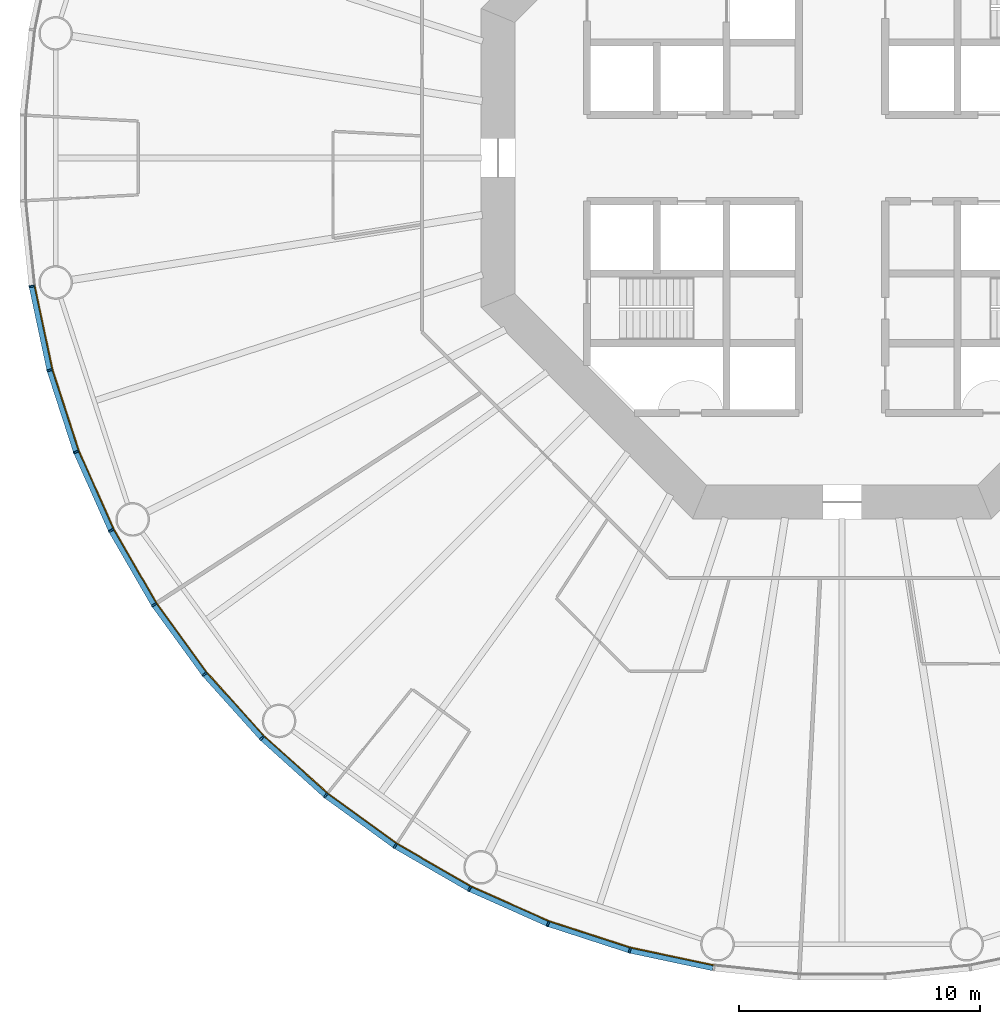
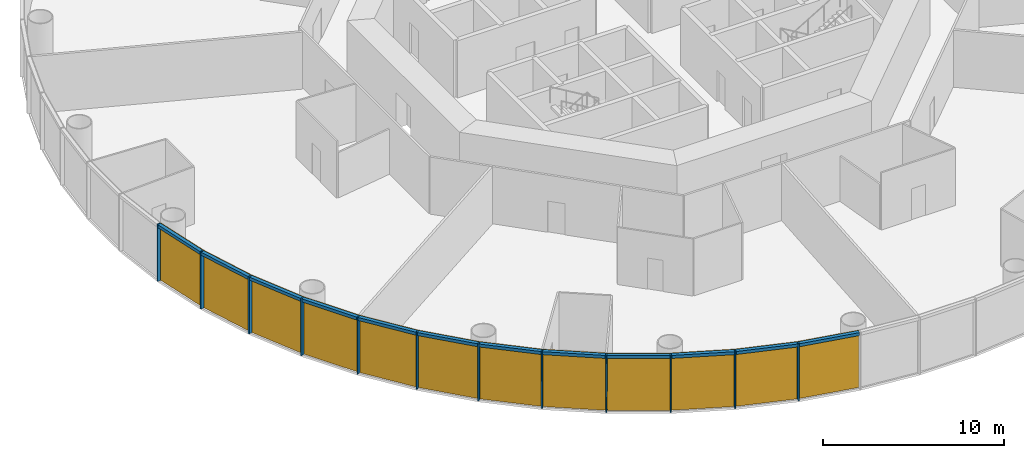
# One storey, part 7 of 13: 24 members, 4 curtain walls.
"""IFC4 building model written with IfcOpenShell, lengths in metres."""

from ifc_helpers import new_model, si_unit, direction, frame, origin, origin_2d, place, context, subcontext, project, spatial, polyline, rectangle, outline, extrude, material, layer, layer_set, material_profile, profile_set, type_object, element, aggregate, save


model = new_model("IFC4")

# Units and contexts
model_context = context("Model", 3, precision=1e-05, world=origin(), true_north=direction((0.0, 1.0)))
body_context = subcontext(model_context, "Body", "Model", "MODEL_VIEW")
ifc_project = project(units=[si_unit("LENGTHUNIT", "METRE"), si_unit("AREAUNIT", "SQUARE_METRE"), si_unit("VOLUMEUNIT", "CUBIC_METRE"), si_unit("PLANEANGLEUNIT", "RADIAN"), si_unit("MASSUNIT", "GRAM", prefix="KILO")], contexts=[model_context])

# Member
ifc_material_1 = material(Name="Anodised aluminium", Category="aluminium")
ifc_material_profile_1 = material_profile(ifc_material_1, rectangle(XDim=0.074951171875, YDim=0.219970703125, at=origin_2d()), Name="Mullion 75 x 220 mm anodised aluminium")
ifc_profile_set_1 = profile_set([ifc_material_profile_1], Name="Anodised aluminium")
member_type_1 = type_object("IfcMemberType", Name="Mullion 75 x 220 mm anodised aluminium", PredefinedType="MULLION", material=ifc_profile_set_1)
site_placement = place(None, origin())
building_placement = place(site_placement, origin())
storey_placement = place(building_placement, frame((0.0, 0.0, 30.0)))
member_1_placement = place(storey_placement, frame((56.31005859375, 74.6640625, 0.0), z_axis=(0.0, 0.0, 1.0), x_axis=(0.15643446504, -0.987688340595, 0.0)))
member_1 = element("IfcMember", 1, at=member_1_placement, type_object=member_type_1, Name="MULLION L05-30", PredefinedType="MULLION", context=body_context, shape_type="SweptSolid", body=[
    extrude(rectangle(XDim=0.074951171875, YDim=0.219970703125, at=origin_2d()), origin(), (0.0, 0.0, 1.0), 3.85009765625),
])

member_2_placement = place(storey_placement, frame((57.05224609375, 71.171630859375, 0.0), z_axis=(0.0, 0.0, 1.0), x_axis=(0.258819045103, -0.965925826289, 0.0)))
member_2 = element("IfcMember", 2, at=member_2_placement, type_object=member_type_1, Name="MULLION L05-31", PredefinedType="MULLION", context=body_context, shape_type="SweptSolid", body=[
    extrude(rectangle(XDim=0.074951171875, YDim=0.219970703125, at=origin_2d()), origin(), (0.0, 0.0, 1.0), 3.85009765625),
])

member_3_placement = place(storey_placement, frame((58.155517578125, 67.776123046875, 0.0), z_axis=(0.0, 0.0, 1.0), x_axis=(0.358367949545, -0.933580426497, 0.0)))
member_3 = element("IfcMember", 3, at=member_3_placement, type_object=member_type_1, Name="MULLION L05-32", PredefinedType="MULLION", context=body_context, shape_type="SweptSolid", body=[
    extrude(rectangle(XDim=0.074951171875, YDim=0.219970703125, at=origin_2d()), origin(), (0.0, 0.0, 1.0), 3.85009765625),
])

member_4_placement = place(storey_placement, frame((59.607666015625, 64.514404296875, 0.0), z_axis=(0.0, 0.0, 1.0), x_axis=(0.45399049974, -0.891006524188, 0.0)))
member_4 = element("IfcMember", 4, at=member_4_placement, type_object=member_type_1, Name="MULLION L05-33", PredefinedType="MULLION", context=body_context, shape_type="SweptSolid", body=[
    extrude(rectangle(XDim=0.074951171875, YDim=0.219970703125, at=origin_2d()), origin(), (0.0, 0.0, 1.0), 3.85009765625),
])

member_5_placement = place(storey_placement, frame((61.39306640625, 61.42236328125, 0.0), z_axis=(0.0, 0.0, 1.0), x_axis=(0.544639035015, -0.838670567945, 0.0)))
member_5 = element("IfcMember", 5, at=member_5_placement, type_object=member_type_1, Name="MULLION L05-34", PredefinedType="MULLION", context=body_context, shape_type="SweptSolid", body=[
    extrude(rectangle(XDim=0.074951171875, YDim=0.219970703125, at=origin_2d()), origin(), (0.0, 0.0, 1.0), 3.85009765625),
])

member_6_placement = place(storey_placement, frame((63.491455078125, 58.533935546875, 0.0), z_axis=(0.0, 0.0, 1.0), x_axis=(0.62932039105, -0.777145961457, 0.0)))
member_6 = element("IfcMember", 6, at=member_6_placement, type_object=member_type_1, Name="MULLION L05-35", PredefinedType="MULLION", context=body_context, shape_type="SweptSolid", body=[
    extrude(rectangle(XDim=0.074951171875, YDim=0.219970703125, at=origin_2d()), origin(), (0.0, 0.0, 1.0), 3.85009765625),
])

member_7_placement = place(storey_placement, frame((65.880615234375, 55.880615234375, 0.0), z_axis=(0.0, 0.0, 1.0), x_axis=(0.707106781187, -0.707106781187, 0.0)))
member_7 = element("IfcMember", 7, at=member_7_placement, type_object=member_type_1, Name="MULLION L05-36", PredefinedType="MULLION", context=body_context, shape_type="SweptSolid", body=[
    extrude(rectangle(XDim=0.074951171875, YDim=0.219970703125, at=origin_2d()), origin(), (0.0, 0.0, 1.0), 3.85009765625),
])

member_8_placement = place(storey_placement, frame((68.533935546875, 53.491455078125, 0.0), z_axis=(0.0, 0.0, 1.0), x_axis=(0.777145961457, -0.62932039105, 0.0)))
member_8 = element("IfcMember", 8, at=member_8_placement, type_object=member_type_1, Name="MULLION L05-37", PredefinedType="MULLION", context=body_context, shape_type="SweptSolid", body=[
    extrude(rectangle(XDim=0.074951171875, YDim=0.219970703125, at=origin_2d()), origin(), (0.0, 0.0, 1.0), 3.85009765625),
])

member_9_placement = place(storey_placement, frame((71.42236328125, 51.39306640625, 0.0), z_axis=(0.0, 0.0, 1.0), x_axis=(0.838670567945, -0.544639035015, 0.0)))
member_9 = element("IfcMember", 9, at=member_9_placement, type_object=member_type_1, Name="MULLION L05-38", PredefinedType="MULLION", context=body_context, shape_type="SweptSolid", body=[
    extrude(rectangle(XDim=0.074951171875, YDim=0.219970703125, at=origin_2d()), origin(), (0.0, 0.0, 1.0), 3.85009765625),
])

member_10_placement = place(storey_placement, frame((74.514404296875, 49.607666015625, 0.0), z_axis=(0.0, 0.0, 1.0), x_axis=(0.891006524188, -0.45399049974, 0.0)))
member_10 = element("IfcMember", 10, at=member_10_placement, type_object=member_type_1, Name="MULLION L05-39", PredefinedType="MULLION", context=body_context, shape_type="SweptSolid", body=[
    extrude(rectangle(XDim=0.074951171875, YDim=0.219970703125, at=origin_2d()), origin(), (0.0, 0.0, 1.0), 3.85009765625),
])

member_11_placement = place(storey_placement, frame((77.776123046875, 48.155517578125, 0.0), z_axis=(0.0, 0.0, 1.0), x_axis=(0.933580426497, -0.358367949545, 0.0)))
member_11 = element("IfcMember", 11, at=member_11_placement, type_object=member_type_1, Name="MULLION L05-40", PredefinedType="MULLION", context=body_context, shape_type="SweptSolid", body=[
    extrude(rectangle(XDim=0.074951171875, YDim=0.219970703125, at=origin_2d()), origin(), (0.0, 0.0, 1.0), 3.85009765625),
])

member_12_placement = place(storey_placement, frame((81.171630859375, 47.05224609375, 0.0), z_axis=(0.0, 0.0, 1.0), x_axis=(0.965925826289, -0.258819045103, 0.0)))
member_12 = element("IfcMember", 12, at=member_12_placement, type_object=member_type_1, Name="MULLION L05-41", PredefinedType="MULLION", context=body_context, shape_type="SweptSolid", body=[
    extrude(rectangle(XDim=0.074951171875, YDim=0.219970703125, at=origin_2d()), origin(), (0.0, 0.0, 1.0), 3.85009765625),
])

ifc_material_2 = material(Name="Anodised aluminium", Category="aluminium")
ifc_material_profile_2 = material_profile(ifc_material_2, rectangle(XDim=0.219970703125, YDim=0.199951171875, at=origin_2d()), Name="Transom 200 x 220 mm anodised aluminium")
ifc_profile_set_2 = profile_set([ifc_material_profile_2], Name="Anodised aluminium")
member_type_2 = type_object("IfcMemberType", Name="Transom 200 x 220 mm anodised aluminium", PredefinedType="USERDEFINED", material=ifc_profile_set_2)
member_13_placement = place(storey_placement, frame((56.31884765625, 74.62158203125, 3.75), z_axis=(0.207920776701, -0.978145669426, 0.0), x_axis=(0.978145669426, 0.207920776701, 0.0)))
member_13 = element("IfcMember", 13, at=member_13_placement, type_object=member_type_2, Name="TRANSOM L05-30", ObjectType="TRANSOM", PredefinedType="USERDEFINED", context=body_context, shape_type="SweptSolid", body=[
    extrude(rectangle(XDim=0.219970703125, YDim=0.199951171875, at=origin_2d()), origin(), (0.0, 0.0, 1.0), 3.48388671875),
])

member_14_placement = place(storey_placement, frame((57.0654296875, 71.130615234375, 3.75), z_axis=(0.309029029702, -0.951052605696, 0.0), x_axis=(0.951052605696, 0.309029029702, 0.0)))
member_14 = element("IfcMember", 14, at=member_14_placement, type_object=member_type_2, Name="TRANSOM L05-31", ObjectType="TRANSOM", PredefinedType="USERDEFINED", context=body_context, shape_type="SweptSolid", body=[
    extrude(rectangle(XDim=0.219970703125, YDim=0.199951171875, at=origin_2d()), origin(), (0.0, 0.0, 1.0), 3.484130859375),
])

member_15_placement = place(storey_placement, frame((58.173095703125, 67.736572265625, 3.75), z_axis=(0.406736576304, -0.913545487371, 0.0), x_axis=(0.913545487371, 0.406736576304, 0.0)))
member_15 = element("IfcMember", 15, at=member_15_placement, type_object=member_type_2, Name="TRANSOM L05-32", ObjectType="TRANSOM", PredefinedType="USERDEFINED", context=body_context, shape_type="SweptSolid", body=[
    extrude(rectangle(XDim=0.219970703125, YDim=0.199951171875, at=origin_2d()), origin(), (0.0, 0.0, 1.0), 3.48388671875),
])

member_16_placement = place(storey_placement, frame((59.629150390625, 64.476806640625, 3.75), z_axis=(0.500005538244, -0.866022206254, 0.0), x_axis=(0.866022206254, 0.500005538244, 0.0)))
member_16 = element("IfcMember", 16, at=member_16_placement, type_object=member_type_2, Name="TRANSOM L05-33", ObjectType="TRANSOM", PredefinedType="USERDEFINED", context=body_context, shape_type="SweptSolid", body=[
    extrude(rectangle(XDim=0.219970703125, YDim=0.199951171875, at=origin_2d()), origin(), (0.0, 0.0, 1.0), 3.48388671875),
])

member_17_placement = place(storey_placement, frame((61.418212890625, 61.38720703125, 3.75), z_axis=(0.587821627006, -0.80899056535, 0.0), x_axis=(0.80899056535, 0.587821627006, 0.0)))
member_17 = element("IfcMember", 17, at=member_17_placement, type_object=member_type_2, Name="TRANSOM L05-34", ObjectType="TRANSOM", PredefinedType="USERDEFINED", context=body_context, shape_type="SweptSolid", body=[
    extrude(rectangle(XDim=0.219970703125, YDim=0.199951171875, at=origin_2d()), origin(), (0.0, 0.0, 1.0), 3.48388671875),
])

member_18_placement = place(storey_placement, frame((63.520263671875, 58.501708984375, 3.75), z_axis=(0.669138930974, -0.743137329876, 0.0), x_axis=(0.743137329876, 0.669138930974, 0.0)))
member_18 = element("IfcMember", 18, at=member_18_placement, type_object=member_type_2, Name="TRANSOM L05-35", ObjectType="TRANSOM", PredefinedType="USERDEFINED", context=body_context, shape_type="SweptSolid", body=[
    extrude(rectangle(XDim=0.219970703125, YDim=0.199951171875, at=origin_2d()), origin(), (0.0, 0.0, 1.0), 3.484130859375),
])

member_19_placement = place(storey_placement, frame((65.91259765625, 55.8515625, 3.75), z_axis=(0.743137329876, -0.669138930974, 0.0), x_axis=(0.669138930974, 0.743137329876, 0.0)))
member_19 = element("IfcMember", 19, at=member_19_placement, type_object=member_type_2, Name="TRANSOM L05-36", ObjectType="TRANSOM", PredefinedType="USERDEFINED", context=body_context, shape_type="SweptSolid", body=[
    extrude(rectangle(XDim=0.219970703125, YDim=0.199951171875, at=origin_2d()), origin(), (0.0, 0.0, 1.0), 3.484130859375),
])

member_20_placement = place(storey_placement, frame((68.56884765625, 53.466064453125, 3.75), z_axis=(0.80899056535, -0.587821627006, 0.0), x_axis=(0.587821627006, 0.80899056535, 0.0)))
member_20 = element("IfcMember", 20, at=member_20_placement, type_object=member_type_2, Name="TRANSOM L05-37", ObjectType="TRANSOM", PredefinedType="USERDEFINED", context=body_context, shape_type="SweptSolid", body=[
    extrude(rectangle(XDim=0.219970703125, YDim=0.199951171875, at=origin_2d()), origin(), (0.0, 0.0, 1.0), 3.48388671875),
])

member_21_placement = place(storey_placement, frame((71.459716796875, 51.37109375, 3.75), z_axis=(0.866022206254, -0.500005538244, 0.0), x_axis=(0.500005538244, 0.866022206254, 0.0)))
member_21 = element("IfcMember", 21, at=member_21_placement, type_object=member_type_2, Name="TRANSOM L05-38", ObjectType="TRANSOM", PredefinedType="USERDEFINED", context=body_context, shape_type="SweptSolid", body=[
    extrude(rectangle(XDim=0.219970703125, YDim=0.199951171875, at=origin_2d()), origin(), (0.0, 0.0, 1.0), 3.48388671875),
])

member_22_placement = place(storey_placement, frame((74.553955078125, 49.590087890625, 3.75), z_axis=(0.913545487371, -0.406736576304, 0.0), x_axis=(0.406736576304, 0.913545487371, 0.0)))
member_22 = element("IfcMember", 22, at=member_22_placement, type_object=member_type_2, Name="TRANSOM L05-39", ObjectType="TRANSOM", PredefinedType="USERDEFINED", context=body_context, shape_type="SweptSolid", body=[
    extrude(rectangle(XDim=0.219970703125, YDim=0.199951171875, at=origin_2d()), origin(), (0.0, 0.0, 1.0), 3.48388671875),
])

member_23_placement = place(storey_placement, frame((77.817138671875, 48.14208984375, 3.75), z_axis=(0.951052605696, -0.309029029702, 0.0), x_axis=(0.309029029702, 0.951052605696, 0.0)))
member_23 = element("IfcMember", 23, at=member_23_placement, type_object=member_type_2, Name="TRANSOM L05-40", ObjectType="TRANSOM", PredefinedType="USERDEFINED", context=body_context, shape_type="SweptSolid", body=[
    extrude(rectangle(XDim=0.219970703125, YDim=0.199951171875, at=origin_2d()), origin(), (0.0, 0.0, 1.0), 3.484130859375),
])

member_24_placement = place(storey_placement, frame((81.2138671875, 47.043212890625, 3.75), z_axis=(0.978145669426, -0.207920776701, 0.0), x_axis=(0.207920776701, 0.978145669426, 0.0)))
member_24 = element("IfcMember", 24, at=member_24_placement, type_object=member_type_2, Name="TRANSOM L05-41", ObjectType="TRANSOM", PredefinedType="USERDEFINED", context=body_context, shape_type="SweptSolid", body=[
    extrude(rectangle(XDim=0.219970703125, YDim=0.199951171875, at=origin_2d()), origin(), (0.0, 0.0, 1.0), 3.48388671875),
])

# Site, building, storey
site = spatial("IfcSite", under=ifc_project, at=site_placement, CompositionType="ELEMENT")
building = spatial("IfcBuilding", under=site, at=building_placement, Name="Entoto Ring Tower", CompositionType="ELEMENT")
storey = spatial("IfcBuildingStorey", under=building, at=storey_placement, Name="L05", CompositionType="ELEMENT", Elevation=30.0)

# Curtain wall
ifc_material_3 = material(Name="Clear low-iron glass", Category="glass")
ifc_layer = layer(ifc_material_3, 0.0400390625)
ifc_layer_set = layer_set([ifc_layer], Name="Clear low-iron glass")
curtain_wall_type = type_object("IfcCurtainWallType", Name="Curtain wall system CW1 glazing 40 mm", PredefinedType="NOTDEFINED", material=ifc_layer_set)
curtain_wall_1_placement = place(storey_placement, origin())
curtain_wall_1 = element("IfcCurtainWall", 25, at=curtain_wall_1_placement, inside=storey, type_object=curtain_wall_type, Name="CW1 L05-11", PredefinedType="NOTDEFINED", context=body_context, shape_type="SweptSolid", body=[
    extrude(outline(polyline([(56.418701171875, 74.68115234375), (57.158447265625, 71.2001953125), (58.25830078125, 67.8154296875), (59.705810546875, 64.564208984375), (59.741455078125, 64.58251953125), (58.295654296875, 67.829833984375), (57.197265625, 71.21044921875), (56.458251953125, 74.6875), (56.418701171875, 74.68115234375)])), origin(), (0.0, 0.0, 1.0), 3.85009765625),
])

aggregate(curtain_wall_1, [member_1, member_2, member_3, member_13, member_14, member_15])

curtain_wall_2_placement = place(storey_placement, origin())
curtain_wall_2 = element("IfcCurtainWall", 26, at=curtain_wall_2_placement, inside=storey, type_object=curtain_wall_type, Name="CW1 L05-12", PredefinedType="NOTDEFINED", context=body_context, shape_type="SweptSolid", body=[
    extrude(outline(polyline([(59.705810546875, 64.564208984375), (61.485107421875, 61.482177734375), (63.5771484375, 58.60302734375), (65.958251953125, 55.958251953125), (65.986572265625, 55.986572265625), (63.608154296875, 58.62841796875), (61.518798828125, 61.504150390625), (59.741455078125, 64.58251953125), (59.705810546875, 64.564208984375)])), origin(), (0.0, 0.0, 1.0), 3.85009765625),
])

aggregate(curtain_wall_2, [member_4, member_5, member_6, member_16, member_17, member_18])

curtain_wall_3_placement = place(storey_placement, origin())
curtain_wall_3 = element("IfcCurtainWall", 27, at=curtain_wall_3_placement, inside=storey, type_object=curtain_wall_type, Name="CW1 L05-13", PredefinedType="NOTDEFINED", context=body_context, shape_type="SweptSolid", body=[
    extrude(outline(polyline([(65.958251953125, 55.958251953125), (68.60302734375, 53.5771484375), (71.482177734375, 51.485107421875), (74.564208984375, 49.705810546875), (74.58251953125, 49.741455078125), (71.504150390625, 51.518798828125), (68.62841796875, 53.608154296875), (65.986572265625, 55.986572265625), (65.958251953125, 55.958251953125)])), origin(), (0.0, 0.0, 1.0), 3.85009765625),
])

aggregate(curtain_wall_3, [member_7, member_8, member_9, member_19, member_20, member_21])

curtain_wall_4_placement = place(storey_placement, origin())
curtain_wall_4 = element("IfcCurtainWall", 28, at=curtain_wall_4_placement, inside=storey, type_object=curtain_wall_type, Name="CW1 L05-14", PredefinedType="NOTDEFINED", context=body_context, shape_type="SweptSolid", body=[
    extrude(outline(polyline([(74.564208984375, 49.705810546875), (77.8154296875, 48.25830078125), (81.2001953125, 47.158447265625), (84.68115234375, 46.418701171875), (84.6875, 46.458251953125), (81.21044921875, 47.197265625), (77.829833984375, 48.295654296875), (74.58251953125, 49.741455078125), (74.564208984375, 49.705810546875)])), origin(), (0.0, 0.0, 1.0), 3.85009765625),
])

aggregate(curtain_wall_4, [member_10, member_11, member_12, member_22, member_23, member_24])

save(model, "model.ifc")
